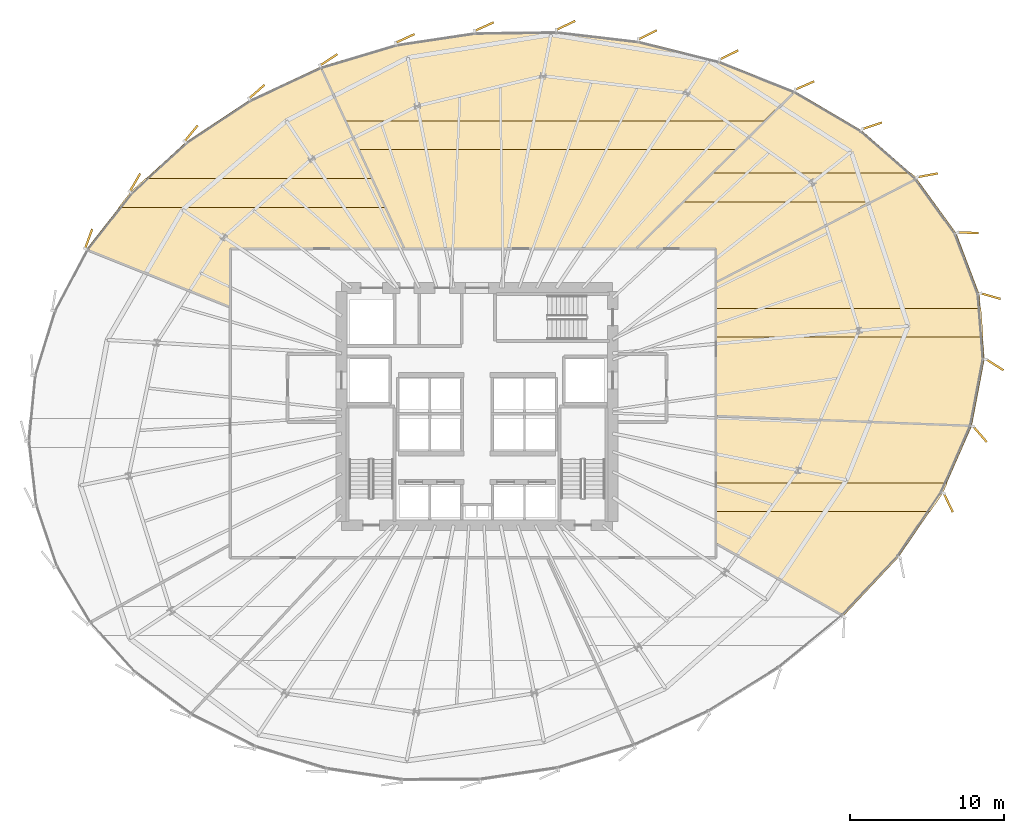
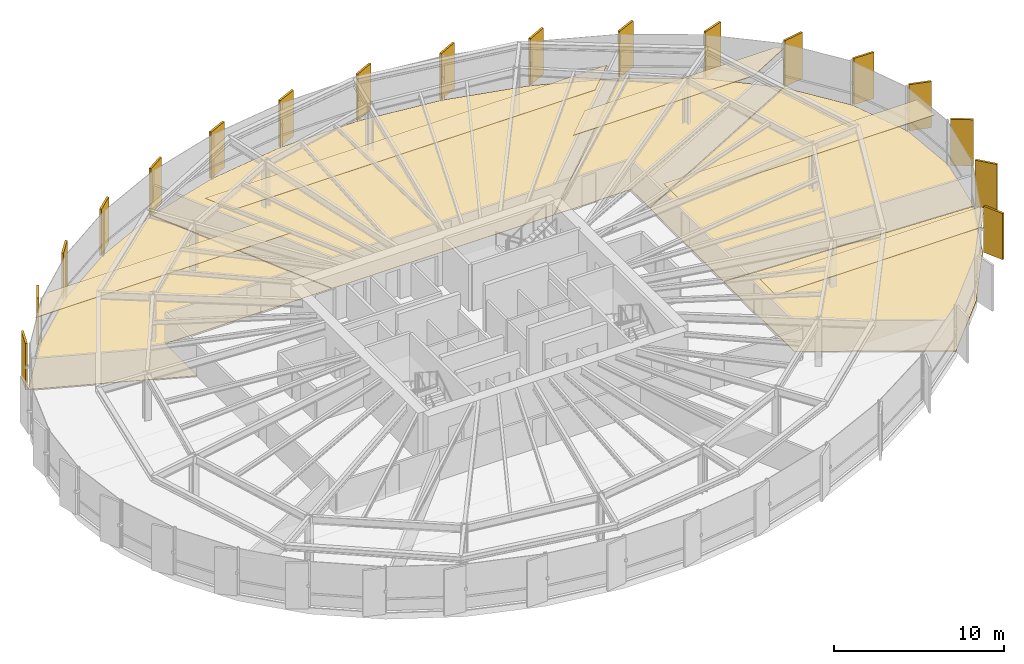
# One storey, part 35 of 35: 28 coverings.
"""IFC4 building model written with IfcOpenShell, lengths in metres."""

from ifc_helpers import new_model, si_unit, direction, frame, origin, origin_2d, place, context, subcontext, project, spatial, polyline, rectangle, outline, extrude, source, transform, mapped, material, layer, layer_set, type_object, element, save


model = new_model("IFC4")

# Units and contexts
model_context = context("Model", 3, precision=1e-05, world=origin(), true_north=direction((0.0, 1.0)))
body_context = subcontext(model_context, "Body", "Model", "MODEL_VIEW")
ifc_project = project(units=[si_unit("LENGTHUNIT", "METRE"), si_unit("AREAUNIT", "SQUARE_METRE"), si_unit("VOLUMEUNIT", "CUBIC_METRE"), si_unit("PLANEANGLEUNIT", "RADIAN"), si_unit("MASSUNIT", "GRAM", prefix="KILO"), si_unit("THERMODYNAMICTEMPERATUREUNIT", "KELVIN")], contexts=[model_context])

# Site, building, storey
site_placement = place(None, origin())
site = spatial("IfcSite", under=ifc_project, at=site_placement, CompositionType="ELEMENT")
building_placement = place(site_placement, origin())
building = spatial("IfcBuilding", under=site, at=building_placement, Name="Kethvar Cultural Tower", CompositionType="ELEMENT")
storey_placement = place(building_placement, frame((0.0, 0.0, 85.60009765625)))
storey = spatial("IfcBuildingStorey", under=building, at=storey_placement, Name="L20", CompositionType="ELEMENT", Elevation=85.60009765625)

# Coverings
ifc_material_1 = material(Name="Acoustic Mineral Fibre Ceiling")
ifc_layer_1 = layer(ifc_material_1, 0.0400390625, Name="Acoustic Mineral Fibre Ceiling")
ifc_layer_set_1 = layer_set([ifc_layer_1], Name="Acoustic Mineral Fibre Ceiling (40 mm)")
covering_type_1 = type_object("IfcCoveringType", Name="CV-ACOUSTIC-CEIL", PredefinedType="CEILING", material=ifc_layer_set_1)
covering_1_placement = place(storey_placement, frame((0.0, 0.0, 2.77978515625)))
element("IfcCovering", 1, at=covering_1_placement, inside=storey, type_object=covering_type_1, Name="L20 Room 04 Acoustic Ceiling Panel", PredefinedType="CEILING", context=body_context, shape_type="SweptSolid", body=[
    extrude(outline(polyline([(77.03955078125, 22.188232421875), (76.215087890625, 20.979248046875), (62.2900390625, 20.979248046875), (62.2900390625, 22.84912109375), (77.329833984375, 22.84912109375), (77.03955078125, 22.188232421875)])), origin(), (0.0, 0.0, 1.0), 0.0400390625),
])
covering_2_placement = place(storey_placement, frame((0.0, 0.0, 2.77978515625)))
element("IfcCovering", 2, at=covering_2_placement, inside=storey, type_object=covering_type_1, Name="L20 Room 05 Acoustic Ceiling Panel", PredefinedType="CEILING", context=body_context, shape_type="SweptSolid", body=[
    extrude(outline(polyline([(62.2900390625, 34.17529296875), (79.50927734375, 34.17529296875), (79.656005859375, 32.305419921875), (62.2900390625, 32.305419921875), (62.2900390625, 34.17529296875)])), origin(), (0.0, 0.0, 1.0), 0.0400390625),
])
covering_3_placement = place(storey_placement, frame((0.0, 0.0, 2.77978515625)))
element("IfcCovering", 3, at=covering_3_placement, inside=storey, type_object=covering_type_1, Name="L20 Room 06 Acoustic Ceiling Panel", PredefinedType="CEILING", context=body_context, shape_type="SweptSolid", body=[
    extrude(outline(polyline([(75.3369140625, 42.643798828125), (72.4091796875, 41.091064453125), (60.142822265625, 41.091064453125), (62.02392578125, 42.9609375), (74.973388671875, 42.9609375), (75.3369140625, 42.643798828125)])), origin(), (0.0, 0.0, 1.0), 0.0400390625),
])
covering_4_placement = place(storey_placement, frame((0.0, 0.0, 2.77978515625)))
element("IfcCovering", 4, at=covering_4_placement, inside=storey, type_object=covering_type_1, Name="L20 Room 07 Acoustic Ceiling Panel", PredefinedType="CEILING", context=body_context, shape_type="SweptSolid", body=[
    extrude(outline(polyline([(63.603759765625, 44.474609375), (39.0947265625, 44.474609375), (38.233154296875, 46.3447265625), (65.48486328125, 46.3447265625), (63.603759765625, 44.474609375)])), origin(), (0.0, 0.0, 1.0), 0.0400390625),
])
covering_5_placement = place(storey_placement, frame((0.0, 0.0, 2.77978515625)))
element("IfcCovering", 5, at=covering_5_placement, inside=storey, type_object=covering_type_1, Name="L20 Room 08 Acoustic Ceiling Panel", PredefinedType="CEILING", context=body_context, shape_type="SweptSolid", body=[
    extrude(outline(polyline([(24.298095703125, 41.7197265625), (25.2607421875, 42.6005859375), (40.002197265625, 42.6005859375), (40.864013671875, 40.730712890625), (23.523681640625, 40.730712890625), (24.298095703125, 41.7197265625)])), origin(), (0.0, 0.0, 1.0), 0.0400390625),
])
ifc_material_2 = material(Name="Architectural Oak Timber", Category="wood")
ifc_layer_2 = layer(ifc_material_2, 0.02490234375, Name="Architectural Oak Timber", Category="wood")
ifc_layer_set_2 = layer_set([ifc_layer_2], Name="Architectural Oak Timber (25 mm)")
covering_type_2 = type_object("IfcCoveringType", Name="CV-OAK-FLOOR", PredefinedType="FLOORING", material=ifc_layer_set_2)
covering_6_placement = place(storey_placement, origin())
element("IfcCovering", 6, at=covering_6_placement, inside=storey, type_object=covering_type_2, Name="L20 Room 04 Floor Finish", PredefinedType="FLOORING", context=body_context, shape_type="SweptSolid", body=[
    extrude(outline(polyline([(77.00439453125, 22.207763671875), (74.167236328125, 18.046875), (70.57666015625, 14.2080078125), (62.330078125, 18.930419921875), (62.330078125, 27.164794921875), (78.892822265625, 26.508544921875), (77.00439453125, 22.207763671875)])), origin(), (0.0, 0.0, 1.0), 0.02490234375),
])
covering_7_placement = place(storey_placement, origin())
element("IfcCovering", 7, at=covering_7_placement, inside=storey, type_object=covering_type_2, Name="L20 Room 05 Floor Finish", PredefinedType="FLOORING", context=body_context, shape_type="SweptSolid", body=[
    extrude(outline(polyline([(78.906494140625, 26.548095703125), (62.330078125, 27.20458984375), (62.330078125, 35.85107421875), (75.31787109375, 42.60302734375), (77.903076171875, 39.038330078125), (79.397705078125, 35.08642578125), (79.72802734375, 30.874267578125), (78.906494140625, 26.548095703125)])), origin(), (0.0, 0.0, 1.0), 0.02490234375),
])
covering_8_placement = place(storey_placement, origin())
element("IfcCovering", 8, at=covering_8_placement, inside=storey, type_object=covering_type_2, Name="L20 Room 06 Floor Finish", PredefinedType="FLOORING", context=body_context, shape_type="SweptSolid", body=[
    extrude(outline(polyline([(71.748779296875, 45.720458984375), (75.28857421875, 42.633056640625), (62.330078125, 35.89599609375), (62.317626953125, 38.05859375), (57.150390625, 38.06005859375), (67.421875, 48.27001953125), (71.748779296875, 45.720458984375)])), origin(), (0.0, 0.0, 1.0), 0.02490234375),
])
covering_9_placement = place(storey_placement, origin())
element("IfcCovering", 9, at=covering_9_placement, inside=storey, type_object=covering_type_2, Name="L20 Room 07 Floor Finish", PredefinedType="FLOORING", context=body_context, shape_type="SweptSolid", body=[
    extrude(outline(polyline([(41.54296875, 51.319091796875), (46.655029296875, 52.086669921875), (51.9423828125, 52.154052734375), (57.28662109375, 51.52880859375), (62.51318359375, 50.227294921875), (67.383056640625, 48.287841796875), (57.093505859375, 38.06005859375), (42.094482421875, 38.06005859375), (36.66015625, 49.85400390625), (41.54296875, 51.319091796875)])), origin(), (0.0, 0.0, 1.0), 0.02490234375),
])
covering_10_placement = place(storey_placement, origin())
element("IfcCovering", 10, at=covering_10_placement, inside=storey, type_object=covering_type_2, Name="L20 Room 08 Floor Finish", PredefinedType="FLOORING", context=body_context, shape_type="SweptSolid", body=[
    extrude(outline(polyline([(24.327392578125, 41.6923828125), (27.89892578125, 44.960205078125), (32.044921875, 47.70654296875), (36.62255859375, 49.840087890625), (42.050537109375, 38.06005859375), (30.76416015625, 38.05908203125), (30.75, 34.281005859375), (21.4541015625, 38.022216796875), (24.327392578125, 41.6923828125)])), origin(), (0.0, 0.0, 1.0), 0.02490234375),
])
ifc_material_3 = material(Name="Extruded Architectural Terracotta", Category="masonry")
ifc_layer_3 = layer(ifc_material_3, 0.135009765625, Name="Extruded Architectural Terracotta", Category="masonry")
ifc_layer_set_3 = layer_set([ifc_layer_3], Name="Extruded Architectural Terracotta (135 mm)")
covering_type_3 = type_object("IfcCoveringType", Name="Terracotta Facade Fin FIN-02", PredefinedType="CLADDING", material=ifc_layer_set_3)
shared_shape = source(origin(), body_context, "Body", "SweptSolid", [
    extrude(rectangle(XDim=1.35009765625, YDim=0.135009765625, at=origin_2d()), origin(), (0.0, 0.0, 1.0), 3.31005859375),
])
for number, where, z_axis, x_axis, name in (
    (11, (80.127685546875, 34.970947265625, 0.019775390625), (0.0, 0.0, 1.0), (0.961884622421, -0.27345561459, 0.0), "L20 Vertical Terracotta Fin 1.1"),
    (12, (78.660400390625, 39.08251953125, 0.019775390625), (0.0, 0.0, 1.0), (0.999832084347, -0.018324931396, 0.0), "L20 Vertical Terracotta Fin 1.2"),
    (13, (76.0400390625, 42.81298828125, 0.019775390625), (0.0, 0.0, 1.0), (0.982967439746, 0.18377979323, 0.0), "L20 Vertical Terracotta Fin 1.3"),
    (14, (72.440185546875, 46.02294921875, 0.019775390625), (0.0, 0.0, 1.0), (0.946761694389, 0.321935232675, 0.0), "L20 Vertical Terracotta Fin 1.4"),
    (15, (68.06591796875, 48.64208984375, 0.019775390625), (0.0, 0.0, 1.0), (0.91495966785, 0.403545296352, 0.0), "L20 Vertical Terracotta Fin 1.5"),
    (16, (63.144775390625, 50.62109375, 0.019775390625), (0.0, 0.0, 1.0), (0.897873953312, 0.440252613806, 0.0), "L20 Vertical Terracotta Fin 1.6"),
    (17, (57.8662109375, 51.93115234375, 0.019775390625), (0.0, 0.0, 1.0), (0.896718299017, 0.442601730913, 0.0), "L20 Vertical Terracotta Fin 2.1"),
    (18, (52.552734375, 52.542236328125, 0.019775390625), (0.0, 0.0, 1.0), (0.904157123908, 0.427200064707, 0.0), "L20 Vertical Terracotta Fin 2.2"),
    (19, (47.25732421875, 52.46240234375, 0.019775390625), (0.0, 0.0, 1.0), (0.912048557214, 0.410082222589, 0.0), "L20 Vertical Terracotta Fin 2.3"),
    (20, (42.128662109375, 51.697509765625, 0.019775390625), (0.0, 0.0, 1.0), (0.908435232127, 0.418025632026, 0.0), "L20 Vertical Terracotta Fin 2.4"),
    (21, (37.164794921875, 50.306640625, 0.019775390625), (0.0, 0.0, 1.0), (0.838765612615, 0.544492651093, 0.0), "L20 Vertical Terracotta Fin 2.5"),
    (22, (32.496337890625, 48.238037109375, 0.019775390625), (0.0, 0.0, 1.0), (0.748724377134, 0.662881442707, 0.0), "L20 Vertical Terracotta Fin 2.6"),
    (23, (28.233642578125, 45.529296875, 0.019775390625), (0.0, 0.0, 1.0), (0.636616760808, 0.771180329014, 0.0), "L20 Vertical Terracotta Fin 3.1"),
    (24, (24.587890625, 42.339599609375, 0.019775390625), (0.0, 0.0, 1.0), (0.500906625361, 0.865501330253, 0.0), "L20 Vertical Terracotta Fin 3.2"),
    (25, (21.5810546875, 38.685791015625, 0.019775390625), (0.0, 0.0, 1.0), (0.340379550213, 0.94028812701, 0.0), "L20 Vertical Terracotta Fin 3.3"),
    (26, (77.38671875, 21.556884765625, 0.019775390625), (0.0, 0.0, 1.0), (0.431613491188, -0.902058642343, 0.0), "L20 Vertical Terracotta Fin 6.4"),
    (27, (79.44384765625, 26.002685546875, 0.019775390625), (0.0, 0.0, 1.0), (0.6551364879, -0.755510544084, 0.0), "L20 Vertical Terracotta Fin 6.5"),
    (28, (80.397216796875, 30.5166015625, 0.019775390625), (0.0, 0.0, 1.0), (0.84320384149, -0.537593974759, 0.0), "L20 Vertical Terracotta Fin 6.6"),
):
    element("IfcCovering", number, at=place(storey_placement, frame(where, z_axis=z_axis, x_axis=x_axis)), inside=storey, type_object=covering_type_3, Name=name, PredefinedType="CLADDING", context=body_context, shape_type="MappedRepresentation", body=[
        mapped(shared_shape, transform((0.0, 0.0, 0.0), scale=1.0)),
    ])

save(model, "model.ifc")
